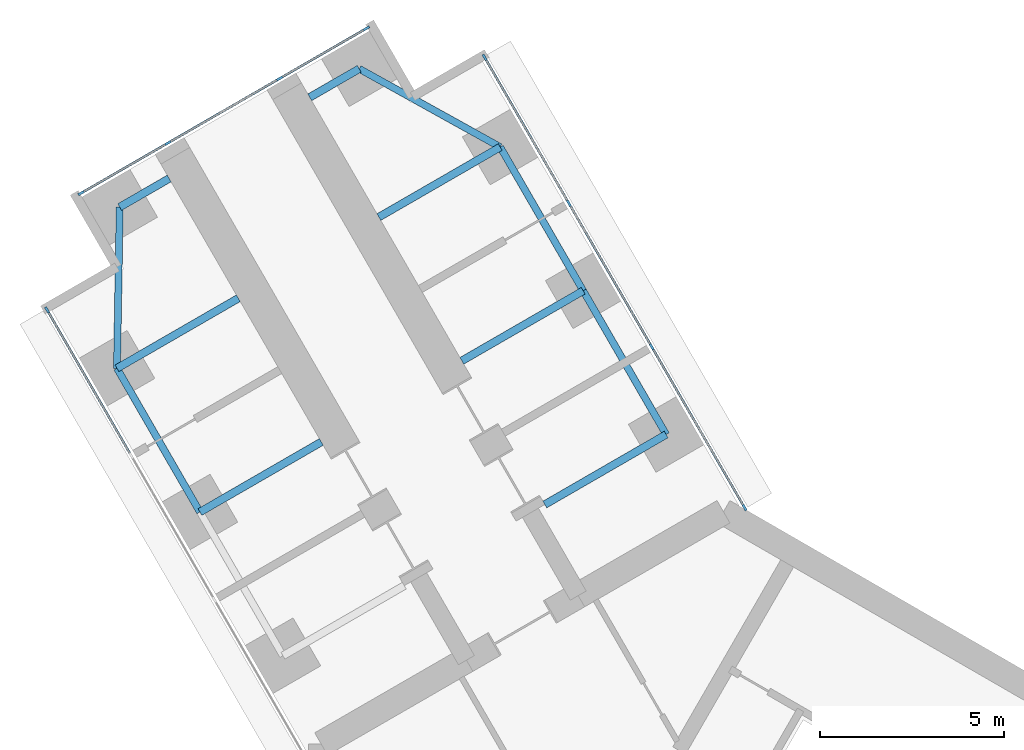
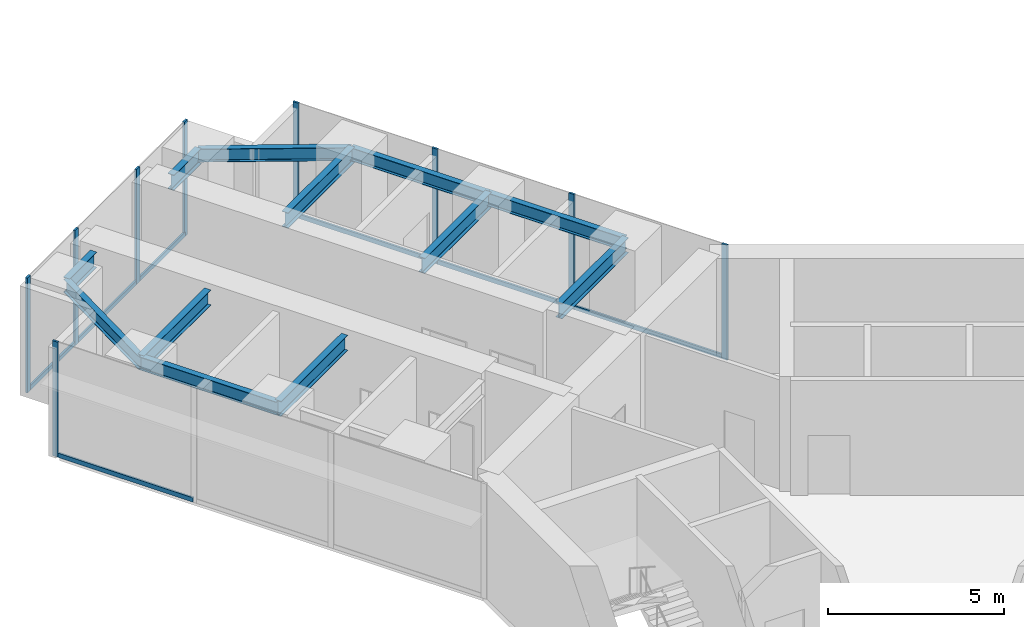
# One storey, part 7 of 22: 16 members, 12 beams, 3 elements without a shape of their own.
"""IFC4 building model written with IfcOpenShell, lengths in metres."""

from ifc_helpers import new_model, si_unit, direction, frame, origin, origin_2d, place, context, subcontext, project, spatial, rectangle, i_section, extrude, material, material_profile, profile_set, type_object, element, aggregate, save


model = new_model("IFC4")

# Units and contexts
model_context = context("Model", 3, precision=1e-05, world=origin(), true_north=direction((0.0, 1.0)))
body_context = subcontext(model_context, "Body", "Model", "MODEL_VIEW")
ifc_project = project(units=[si_unit("LENGTHUNIT", "METRE"), si_unit("AREAUNIT", "SQUARE_METRE"), si_unit("VOLUMEUNIT", "CUBIC_METRE"), si_unit("PLANEANGLEUNIT", "RADIAN"), si_unit("MASSUNIT", "GRAM", prefix="KILO")], contexts=[model_context])

# Site, building, storey
site_placement = place(None, origin())
site = spatial("IfcSite", under=ifc_project, at=site_placement, CompositionType="ELEMENT")
building_placement = place(site_placement, origin())
building = spatial("IfcBuilding", under=site, at=building_placement, Name="Upepo Twin Towers", CompositionType="ELEMENT")
storey_placement = place(building_placement, frame((0.0, 0.0, 40.5)))
storey = spatial("IfcBuildingStorey", under=building, at=storey_placement, Name="L09", CompositionType="ELEMENT", Elevation=40.5)

# Beams
ifc_material_1 = material(Name="Steel S355", Category="steel")
ifc_material_profile_1 = material_profile(ifc_material_1, i_section(OverallWidth=0.1904296875, OverallDepth=0.45703125, WebThickness=0.009033203125, FlangeThickness=0.014404296875, FilletRadius=0.01025390625, at=origin_2d()), Name="UB 457x191x74")
ifc_profile_set_1 = profile_set([ifc_material_profile_1], Name="Steel S355")
beam_type_1 = type_object("IfcBeamType", Name="Beam UB 457x191x74", PredefinedType="BEAM", material=ifc_profile_set_1)
beam_1_placement = place(storey_placement, frame((-14.196044921875, 12.58837890625, 3.571533203125), z_axis=(-0.499990139034, 0.866031096941, 0.0), x_axis=(-0.866031096941, -0.499990139034, 0.0)))
element("IfcBeam", 1, at=beam_1_placement, inside=storey, type_object=beam_type_1, Name="T1 edge beam BL 18.0-22.5", PredefinedType="BEAM", context=body_context, shape_type="SweptSolid", body=[
    extrude(i_section(OverallWidth=0.1904296875, OverallDepth=0.45703125, WebThickness=0.009033203125, FlangeThickness=0.014404296875, FilletRadius=0.01025390625, at=origin_2d()), origin(), (0.0, 0.0, 1.0), 4.5),
])
beam_2_placement = place(storey_placement, frame((-16.446044921875, 16.485595703125, 3.571533203125), z_axis=(0.016803880528, 0.999858804832, 0.0), x_axis=(-0.999858804832, 0.016803880528, 0.0)))
element("IfcBeam", 2, at=beam_2_placement, inside=storey, type_object=beam_type_1, Name="T1 nose edge beam BL", PredefinedType="BEAM", context=body_context, shape_type="SweptSolid", body=[
    extrude(i_section(OverallWidth=0.1904296875, OverallDepth=0.45703125, WebThickness=0.009033203125, FlangeThickness=0.014404296875, FilletRadius=0.01025390625, at=origin_2d()), origin(), (0.0, 0.0, 1.0), 4.373291015625),
])
beam_3_placement = place(storey_placement, frame((-1.553955078125, 14.69140625, 3.571533203125), z_axis=(-0.500013631625, 0.866017533419, 0.0), x_axis=(-0.866017533419, -0.500013631625, 0.0)))
element("IfcBeam", 3, at=beam_3_placement, inside=storey, type_object=beam_type_1, Name="T1 edge beam BR 13.5-18.0", PredefinedType="BEAM", context=body_context, shape_type="SweptSolid", body=[
    extrude(i_section(OverallWidth=0.1904296875, OverallDepth=0.45703125, WebThickness=0.009033203125, FlangeThickness=0.014404296875, FilletRadius=0.01025390625, at=origin_2d()), origin(), (0.0, 0.0, 1.0), 4.499755859375),
])
beam_4_placement = place(storey_placement, frame((-3.803955078125, 18.58837890625, 3.571533203125), z_axis=(-0.499990139034, 0.866031096941, 0.0), x_axis=(-0.866031096941, -0.499990139034, 0.0)))
element("IfcBeam", 4, at=beam_4_placement, inside=storey, type_object=beam_type_1, Name="T1 edge beam BR 18.0-22.5", PredefinedType="BEAM", context=body_context, shape_type="SweptSolid", body=[
    extrude(i_section(OverallWidth=0.1904296875, OverallDepth=0.45703125, WebThickness=0.009033203125, FlangeThickness=0.014404296875, FilletRadius=0.01025390625, at=origin_2d()), origin(), (0.0, 0.0, 1.0), 4.5),
])
beam_5_placement = place(storey_placement, frame((-6.053955078125, 22.485595703125, 3.571533203125), z_axis=(-0.874312600038, 0.485363242752, 0.0), x_axis=(-0.485363242752, -0.874312600038, 0.0)))
element("IfcBeam", 5, at=beam_5_placement, inside=storey, type_object=beam_type_1, Name="T1 nose edge beam BR", PredefinedType="BEAM", context=body_context, shape_type="SweptSolid", body=[
    extrude(i_section(OverallWidth=0.1904296875, OverallDepth=0.45703125, WebThickness=0.009033203125, FlangeThickness=0.014404296875, FilletRadius=0.01025390625, at=origin_2d()), origin(), (0.0, 0.0, 1.0), 4.373046875),
])
ifc_material_2 = material(Name="Steel S355", Category="steel")
ifc_material_profile_2 = material_profile(ifc_material_2, i_section(OverallWidth=0.2099609375, OverallDepth=0.53662109375, WebThickness=0.0107421875, FlangeThickness=0.017333984375, FilletRadius=0.0126953125, at=origin_2d()), Name="UB 533x210x101")
ifc_profile_set_2 = profile_set([ifc_material_profile_2], Name="Steel S355")
beam_type_2 = type_object("IfcBeamType", Name="Beam UB 533x210x101", PredefinedType="BEAM", material=ifc_profile_set_2)
for number, where, z_axis, x_axis, name in (
    (6, (-16.37255859375, 20.858154296875, 3.53173828125), (0.866043940782, 0.499967891604, 0.0), (-0.499967891604, 0.866043940782, 0.0), "T1 nose beam BL"),
    (7, (-9.87744140625, 24.608154296875, 3.53173828125), (-0.866043940782, -0.499967891604, 0.0), (0.499967891604, -0.866043940782, 0.0), "T1 nose beam BR"),
):
    element("IfcBeam", number, at=place(storey_placement, frame(where, z_axis=z_axis, x_axis=x_axis)), inside=storey, type_object=beam_type_2, Name=name, PredefinedType="BEAM", context=body_context, shape_type="SweptSolid", body=[
        extrude(i_section(OverallWidth=0.2099609375, OverallDepth=0.53662109375, WebThickness=0.0107421875, FlangeThickness=0.017333984375, FilletRadius=0.0126953125, at=origin_2d()), origin(), (0.0, 0.0, 1.0), 1.5498046875),
    ])
ifc_material_3 = material(Name="Steel S355", Category="steel")
ifc_material_profile_3 = material_profile(ifc_material_3, i_section(OverallWidth=0.209228515625, OverallDepth=0.533203125, WebThickness=0.010009765625, FlangeThickness=0.015625, FilletRadius=0.0126953125, at=origin_2d()), Name="UB 533x210x92")
ifc_profile_set_3 = profile_set([ifc_material_profile_3], Name="Steel S355")
beam_type_3 = type_object("IfcBeamType", Name="Beam UB 533x210x92", PredefinedType="BEAM", material=ifc_profile_set_3)
beam_6_placement = place(storey_placement, frame((-14.196044921875, 12.58837890625, 3.533447265625), z_axis=(0.866000483506, 0.500043160704, 0.0), x_axis=(-0.500043160704, 0.866000483506, 0.0)))
element("IfcBeam", 8, at=beam_6_placement, inside=storey, type_object=beam_type_3, Name="T1 girder BL at 18.0", PredefinedType="BEAM", context=body_context, shape_type="SweptSolid", body=[
    extrude(i_section(OverallWidth=0.209228515625, OverallDepth=0.533203125, WebThickness=0.010009765625, FlangeThickness=0.015625, FilletRadius=0.0126953125, at=origin_2d()), origin(), (0.0, 0.0, 1.0), 3.800048828125),
])
beam_7_placement = place(storey_placement, frame((-16.446044921875, 16.485595703125, 3.533447265625), z_axis=(0.866028304915, 0.499994975061, 0.0), x_axis=(-0.499994975061, 0.866028304915, 0.0)))
element("IfcBeam", 9, at=beam_7_placement, inside=storey, type_object=beam_type_3, Name="T1 girder BL at 22.5", PredefinedType="BEAM", context=body_context, shape_type="SweptSolid", body=[
    extrude(i_section(OverallWidth=0.209228515625, OverallDepth=0.533203125, WebThickness=0.010009765625, FlangeThickness=0.015625, FilletRadius=0.0126953125, at=origin_2d()), origin(), (0.0, 0.0, 1.0), 3.7998046875),
])
beam_8_placement = place(storey_placement, frame((-1.553955078125, 14.69140625, 3.533447265625), z_axis=(-0.866000483506, -0.500043160704, 0.0), x_axis=(0.500043160704, -0.866000483506, 0.0)))
element("IfcBeam", 10, at=beam_8_placement, inside=storey, type_object=beam_type_3, Name="T1 girder BR at 13.5", PredefinedType="BEAM", context=body_context, shape_type="SweptSolid", body=[
    extrude(i_section(OverallWidth=0.209228515625, OverallDepth=0.533203125, WebThickness=0.010009765625, FlangeThickness=0.015625, FilletRadius=0.0126953125, at=origin_2d()), origin(), (0.0, 0.0, 1.0), 3.800048828125),
])
for number, where, z_axis, x_axis, name in (
    (11, (-3.803955078125, 18.58837890625, 3.533447265625), (-0.866028304915, -0.499994975061, 0.0), (0.499994975061, -0.866028304915, 0.0), "T1 girder BR at 18.0"),
    (12, (-6.053955078125, 22.485595703125, 3.533447265625), (-0.866028304915, -0.499994975061, 0.0), (0.499994975061, -0.866028304915, 0.0), "T1 girder BR at 22.5"),
):
    element("IfcBeam", number, at=place(storey_placement, frame(where, z_axis=z_axis, x_axis=x_axis)), inside=storey, type_object=beam_type_3, Name=name, PredefinedType="BEAM", context=body_context, shape_type="SweptSolid", body=[
        extrude(i_section(OverallWidth=0.209228515625, OverallDepth=0.533203125, WebThickness=0.010009765625, FlangeThickness=0.015625, FilletRadius=0.0126953125, at=origin_2d()), origin(), (0.0, 0.0, 1.0), 3.7998046875),
    ])

# Curtain wall, member
ifc_material_4 = material(Name="Aluminium and fritted glass", Category="aluminium")
curtain_wall_type = type_object("IfcCurtainWallType", Name="Tower curtain wall TW1, fritted glass", PredefinedType="NOTDEFINED", material=ifc_material_4)
curtain_wall_1_placement = place(storey_placement, origin())
curtain_wall_1 = element("IfcCurtainWall", 13, at=curtain_wall_1_placement, inside=storey, type_object=curtain_wall_type, Name="T1 L09 wing B flank L curtain wall", PredefinedType="NOTDEFINED")
ifc_material_5 = material(Name="Aluminium mullion", Category="aluminium")
ifc_material_profile_4 = material_profile(ifc_material_5, rectangle(XDim=0.06494140625, YDim=0.179931640625, at=origin_2d()), Name="MULLION 65x180")
ifc_profile_set_4 = profile_set([ifc_material_profile_4], Name="Aluminium mullion")
member_type_1 = type_object("IfcMemberType", Name="Mullion 65x180 TW1", PredefinedType="MULLION", material=ifc_profile_set_4)
member_1_placement = place(storey_placement, frame((-18.341064453125, 18.067626953125, 0.0), z_axis=(0.0, 0.0, 1.0), x_axis=(-0.866025389682, -0.500000024426, 0.0)))
member_1 = element("IfcMember", 14, at=member_1_placement, type_object=member_type_1, Name="T1 L09 wing B flank L curtain wall mullion 4", PredefinedType="MULLION", context=body_context, shape_type="SweptSolid", body=[
    extrude(rectangle(XDim=0.06494140625, YDim=0.179931640625, at=origin_2d()), origin(), (0.0, 0.0, 1.0), 4.0),
])

# Curtain wall, members
curtain_wall_2_placement = place(storey_placement, origin())
curtain_wall_2 = element("IfcCurtainWall", 15, at=curtain_wall_2_placement, inside=storey, type_object=curtain_wall_type, Name="T1 L09 wing B flank R curtain wall", PredefinedType="NOTDEFINED")
member_2_placement = place(storey_placement, frame((-6.4765625, 24.91748046875, 0.0), z_axis=(0.0, 0.0, 1.0), x_axis=(0.866025389682, 0.500000024426, 0.0)))
member_2 = element("IfcMember", 16, at=member_2_placement, type_object=member_type_1, Name="T1 L09 wing B flank R curtain wall mullion 1", PredefinedType="MULLION", context=body_context, shape_type="SweptSolid", body=[
    extrude(rectangle(XDim=0.06494140625, YDim=0.179931640625, at=origin_2d()), origin(), (0.0, 0.0, 1.0), 4.0),
])
member_3_placement = place(storey_placement, frame((-4.192626953125, 20.9619140625, 0.0), z_axis=(0.0, 0.0, 1.0), x_axis=(0.866025389682, 0.500000024426, 0.0)))
member_3 = element("IfcMember", 17, at=member_3_placement, type_object=member_type_1, Name="T1 L09 wing B flank R curtain wall mullion 2", PredefinedType="MULLION", context=body_context, shape_type="SweptSolid", body=[
    extrude(rectangle(XDim=0.06494140625, YDim=0.179931640625, at=origin_2d()), origin(), (0.0, 0.0, 1.0), 4.0),
])
member_4_placement = place(storey_placement, frame((-1.942626953125, 17.06494140625, 0.0), z_axis=(0.0, 0.0, 1.0), x_axis=(0.866025389682, 0.500000024426, 0.0)))
member_4 = element("IfcMember", 18, at=member_4_placement, type_object=member_type_1, Name="T1 L09 wing B flank R curtain wall mullion 3", PredefinedType="MULLION", context=body_context, shape_type="SweptSolid", body=[
    extrude(rectangle(XDim=0.06494140625, YDim=0.179931640625, at=origin_2d()), origin(), (0.0, 0.0, 1.0), 4.0),
])
member_5_placement = place(storey_placement, frame((0.572509765625, 12.70849609375, 0.0), z_axis=(0.0, 0.0, 1.0), x_axis=(0.866025389682, 0.500000024426, 0.0)))
member_5 = element("IfcMember", 19, at=member_5_placement, type_object=member_type_1, Name="T1 L09 wing B flank R curtain wall mullion 4", PredefinedType="MULLION", context=body_context, shape_type="SweptSolid", body=[
    extrude(rectangle(XDim=0.06494140625, YDim=0.179931640625, at=origin_2d()), origin(), (0.0, 0.0, 1.0), 4.0),
])

curtain_wall_3_placement = place(storey_placement, origin())
curtain_wall_3 = element("IfcCurtainWall", 20, at=curtain_wall_3_placement, inside=storey, type_object=curtain_wall_type, Name="T1 L09 wing B nose curtain wall", PredefinedType="NOTDEFINED")
member_6_placement = place(storey_placement, frame((-9.68115234375, 25.703125, 0.0), z_axis=(0.0, 0.0, 1.0), x_axis=(0.500000030502, -0.866025386174, 0.0)))
member_6 = element("IfcMember", 21, at=member_6_placement, type_object=member_type_1, Name="T1 L09 wing B nose curtain wall mullion 1", PredefinedType="MULLION", context=body_context, shape_type="SweptSolid", body=[
    extrude(rectangle(XDim=0.06494140625, YDim=0.179931640625, at=origin_2d()), origin(), (0.0, 0.0, 1.0), 4.0),
])
member_7_placement = place(storey_placement, frame((-12.034423828125, 24.34423828125, 0.0), z_axis=(0.0, 0.0, 1.0), x_axis=(0.500000030502, -0.866025386174, 0.0)))
member_7 = element("IfcMember", 22, at=member_7_placement, type_object=member_type_1, Name="T1 L09 wing B nose curtain wall mullion 2", PredefinedType="MULLION", context=body_context, shape_type="SweptSolid", body=[
    extrude(rectangle(XDim=0.06494140625, YDim=0.179931640625, at=origin_2d()), origin(), (0.0, 0.0, 1.0), 4.0),
])
member_8_placement = place(storey_placement, frame((-15.0654296875, 22.59423828125, 0.0), z_axis=(0.0, 0.0, 1.0), x_axis=(0.500000030502, -0.866025386174, 0.0)))
member_8 = element("IfcMember", 23, at=member_8_placement, type_object=member_type_1, Name="T1 L09 wing B nose curtain wall mullion 3", PredefinedType="MULLION", context=body_context, shape_type="SweptSolid", body=[
    extrude(rectangle(XDim=0.06494140625, YDim=0.179931640625, at=origin_2d()), origin(), (0.0, 0.0, 1.0), 4.0),
])
member_9_placement = place(storey_placement, frame((-17.4189453125, 21.235595703125, 0.0), z_axis=(0.0, 0.0, 1.0), x_axis=(0.500000030502, -0.866025386174, 0.0)))
member_9 = element("IfcMember", 24, at=member_9_placement, type_object=member_type_1, Name="T1 L09 wing B nose curtain wall mullion 4", PredefinedType="MULLION", context=body_context, shape_type="SweptSolid", body=[
    extrude(rectangle(XDim=0.06494140625, YDim=0.179931640625, at=origin_2d()), origin(), (0.0, 0.0, 1.0), 4.0),
])

# Member
ifc_material_6 = material(Name="Aluminium transom", Category="aluminium")
ifc_material_profile_5 = material_profile(ifc_material_6, rectangle(XDim=0.06494140625, YDim=0.14990234375, at=origin_2d()), Name="TRANSOM 65x150")
ifc_profile_set_5 = profile_set([ifc_material_profile_5], Name="Aluminium transom")
member_type_2 = type_object("IfcMemberType", Name="Transom 65x150 TW1", PredefinedType="USERDEFINED", material=ifc_profile_set_5)
member_10_placement = place(storey_placement, frame((-16.073486328125, 14.14013671875, 0.074951171875), z_axis=(-0.499982167615, 0.866035699072, 0.0), x_axis=(-0.866035699072, -0.499982167615, 0.0)))
member_10 = element("IfcMember", 25, at=member_10_placement, type_object=member_type_2, Name="T1 L09 wing B flank L curtain wall transom 3", ObjectType="TRANSOM", PredefinedType="USERDEFINED", context=body_context, shape_type="SweptSolid", body=[
    extrude(rectangle(XDim=0.06494140625, YDim=0.14990234375, at=origin_2d()), origin(), (0.0, 0.0, 1.0), 4.502685546875),
])

aggregate(curtain_wall_1, [member_1, member_10])

member_11_placement = place(storey_placement, frame((-6.460205078125, 24.889404296875, 0.074951171875), z_axis=(0.500005646842, -0.866022143554, 0.0), x_axis=(0.866022143554, 0.500005646842, 0.0)))
member_11 = element("IfcMember", 26, at=member_11_placement, type_object=member_type_2, Name="T1 L09 wing B flank R curtain wall transom 1", ObjectType="TRANSOM", PredefinedType="USERDEFINED", context=body_context, shape_type="SweptSolid", body=[
    extrude(rectangle(XDim=0.06494140625, YDim=0.14990234375, at=origin_2d()), origin(), (0.0, 0.0, 1.0), 4.50244140625),
])

member_12_placement = place(storey_placement, frame((-4.176513671875, 20.933837890625, 0.074951171875), z_axis=(0.500005184116, -0.866022410713, 0.0), x_axis=(0.866022410713, 0.500005184116, 0.0)))
member_12 = element("IfcMember", 27, at=member_12_placement, type_object=member_type_2, Name="T1 L09 wing B flank R curtain wall transom 2", ObjectType="TRANSOM", PredefinedType="USERDEFINED", context=body_context, shape_type="SweptSolid", body=[
    extrude(rectangle(XDim=0.06494140625, YDim=0.14990234375, at=origin_2d()), origin(), (0.0, 0.0, 1.0), 4.43505859375),
])

member_13_placement = place(storey_placement, frame((-1.926513671875, 17.036865234375, 0.074951171875), z_axis=(0.499983492876, -0.866034933967, 0.0), x_axis=(0.866034933967, 0.499983492876, 0.0)))
member_13 = element("IfcMember", 28, at=member_13_placement, type_object=member_type_2, Name="T1 L09 wing B flank R curtain wall transom 3", ObjectType="TRANSOM", PredefinedType="USERDEFINED", context=body_context, shape_type="SweptSolid", body=[
    extrude(rectangle(XDim=0.06494140625, YDim=0.14990234375, at=origin_2d()), origin(), (0.0, 0.0, 1.0), 4.965576171875),
])

aggregate(curtain_wall_2, [member_2, member_3, member_4, member_5, member_11, member_12, member_13])

member_14_placement = place(storey_placement, frame((-9.709228515625, 25.686767578125, 0.074951171875), z_axis=(-0.866036909293, -0.499980071345, 0.0), x_axis=(0.499980071345, -0.866036909293, 0.0)))
member_14 = element("IfcMember", 29, at=member_14_placement, type_object=member_type_2, Name="T1 L09 wing B nose curtain wall transom 1", ObjectType="TRANSOM", PredefinedType="USERDEFINED", context=body_context, shape_type="SweptSolid", body=[
    extrude(rectangle(XDim=0.06494140625, YDim=0.14990234375, at=origin_2d()), origin(), (0.0, 0.0, 1.0), 2.65234375),
])

member_15_placement = place(storey_placement, frame((-12.0625, 24.328125, 0.074951171875), z_axis=(-0.866025804792, -0.499999305434, 0.0), x_axis=(0.499999305434, -0.866025804792, 0.0)))
member_15 = element("IfcMember", 30, at=member_15_placement, type_object=member_type_2, Name="T1 L09 wing B nose curtain wall transom 2", ObjectType="TRANSOM", PredefinedType="USERDEFINED", context=body_context, shape_type="SweptSolid", body=[
    extrude(rectangle(XDim=0.06494140625, YDim=0.14990234375, at=origin_2d()), origin(), (0.0, 0.0, 1.0), 3.43505859375),
])

member_16_placement = place(storey_placement, frame((-15.09375, 22.578125, 0.074951171875), z_axis=(-0.865997053448, -0.500049101008, 0.0), x_axis=(0.500049101008, -0.865997053448, 0.0)))
member_16 = element("IfcMember", 31, at=member_16_placement, type_object=member_type_2, Name="T1 L09 wing B nose curtain wall transom 3", ObjectType="TRANSOM", PredefinedType="USERDEFINED", context=body_context, shape_type="SweptSolid", body=[
    extrude(rectangle(XDim=0.06494140625, YDim=0.14990234375, at=origin_2d()), origin(), (0.0, 0.0, 1.0), 2.652587890625),
])

aggregate(curtain_wall_3, [member_6, member_7, member_8, member_9, member_14, member_15, member_16])

save(model, "model.ifc")
